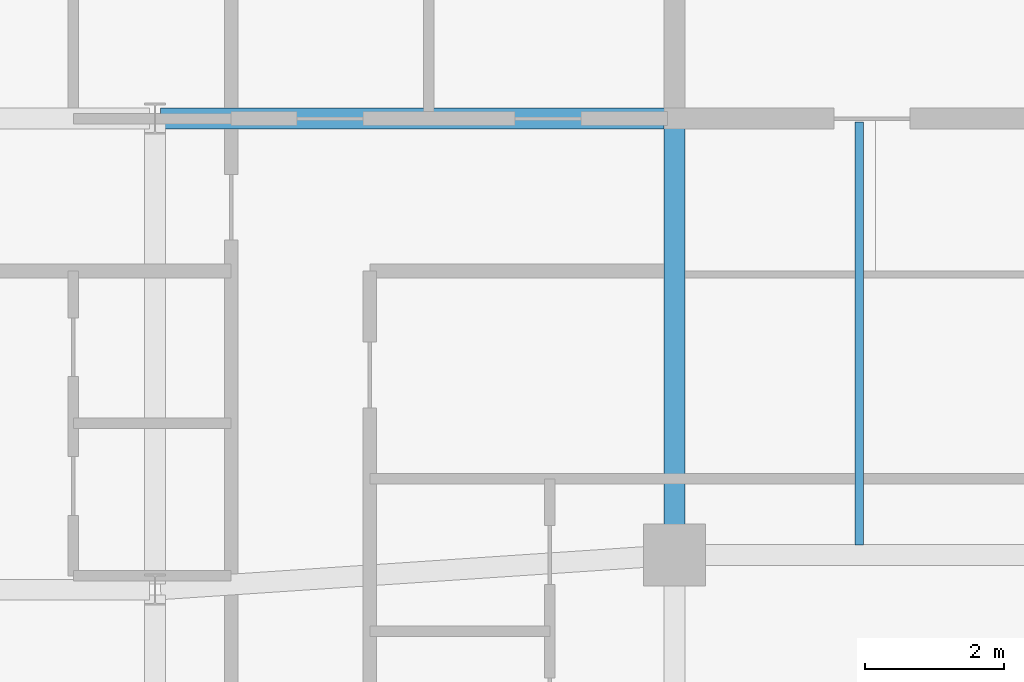
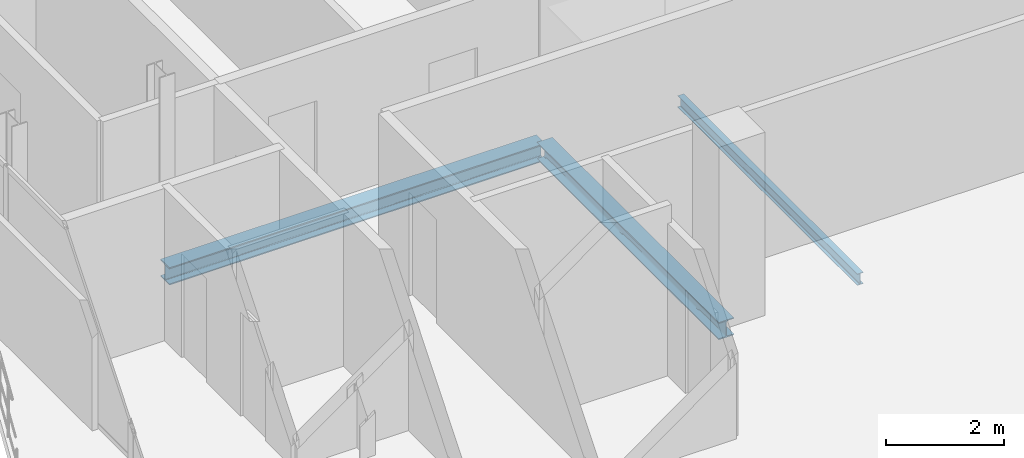
# One storey, part 11 of 23: 3 beams.
"""IFC4 building model written with IfcOpenShell, lengths in metres."""

from ifc_helpers import new_model, si_unit, direction, frame, origin, origin_2d, place, context, subcontext, project, spatial, i_section, extrude, material, material_profile, profile_set, type_object, element, save


model = new_model("IFC4")

# Units and contexts
model_context = context("Model", 3, precision=1e-05, world=origin(), true_north=direction((0.0, 1.0)))
body_context = subcontext(model_context, "Body", "Model", "MODEL_VIEW")
ifc_project = project(units=[si_unit("LENGTHUNIT", "METRE"), si_unit("AREAUNIT", "SQUARE_METRE"), si_unit("VOLUMEUNIT", "CUBIC_METRE"), si_unit("PLANEANGLEUNIT", "RADIAN"), si_unit("MASSUNIT", "GRAM", prefix="KILO")], contexts=[model_context])

# Site, building, storey
site_placement = place(None, origin())
site = spatial("IfcSite", under=ifc_project, at=site_placement, CompositionType="ELEMENT")
building_placement = place(site_placement, origin())
building = spatial("IfcBuilding", under=site, at=building_placement, Name="Catumbela Crestline Tower", CompositionType="ELEMENT")
storey_placement = place(building_placement, frame((0.0, 0.0, 245.0)))
storey = spatial("IfcBuildingStorey", under=building, at=storey_placement, Name="L63", CompositionType="ELEMENT", Elevation=245.0)

# Beams
ifc_material = material(Name="Structural steel S355J2", Category="steel")
ifc_material_profile_1 = material_profile(ifc_material, i_section(OverallWidth=0.3, OverallDepth=0.36, WebThickness=0.0125, FlangeThickness=0.0225, FilletRadius=0.027, at=origin_2d()), Name="HEB 360")
ifc_profile_set_1 = profile_set([ifc_material_profile_1], Name="Structural steel S355J2")
beam_type_1 = type_object("IfcBeamType", Name="BG-HEB360", PredefinedType="BEAM", material=ifc_profile_set_1)
beam_1_placement = place(storey_placement, frame((8.58, 30.8, -0.44), z_axis=(1.0, 0.0, 0.0), x_axis=(0.0, 1.0, 0.0)))
element("IfcBeam", 1, at=beam_1_placement, inside=storey, type_object=beam_type_1, Name="L63 Beam BM-L63-M07", PredefinedType="BEAM", context=body_context, shape_type="SweptSolid", body=[
    extrude(i_section(OverallWidth=0.3, OverallDepth=0.36, WebThickness=0.0125, FlangeThickness=0.0225, FilletRadius=0.027, at=origin_2d()), origin(), (0.0, 0.0, 1.0), 7.37),
])
beam_2_placement = place(storey_placement, frame((16.0, 24.58, -0.44), z_axis=(0.0, 1.0, 0.0), x_axis=(-1.0, 0.0, 0.0)))
element("IfcBeam", 2, at=beam_2_placement, inside=storey, type_object=beam_type_1, Name="L63 Beam BM-L63-SNS15", PredefinedType="BEAM", context=body_context, shape_type="SweptSolid", body=[
    extrude(i_section(OverallWidth=0.3, OverallDepth=0.36, WebThickness=0.0125, FlangeThickness=0.0225, FilletRadius=0.027, at=origin_2d()), origin(), (0.0, 0.0, 1.0), 6.17),
])
ifc_material_profile_2 = material_profile(ifc_material, i_section(OverallWidth=0.12, OverallDepth=0.24, WebThickness=0.0062, FlangeThickness=0.0098, FilletRadius=0.015, at=origin_2d()), Name="IPE 240")
ifc_profile_set_2 = profile_set([ifc_material_profile_2], Name="Structural steel S355J2")
beam_type_2 = type_object("IfcBeamType", Name="BJ-IPE240", PredefinedType="JOIST", material=ifc_profile_set_2)
beam_3_placement = place(storey_placement, frame((18.667, 24.647, -0.38), z_axis=(0.0, 1.0, 0.0), x_axis=(-1.0, 0.0, 0.0)))
element("IfcBeam", 3, at=beam_3_placement, inside=storey, type_object=beam_type_2, Name="L63 Joist JS-L63-SP21", PredefinedType="JOIST", context=body_context, shape_type="SweptSolid", body=[
    extrude(i_section(OverallWidth=0.12, OverallDepth=0.24, WebThickness=0.0062, FlangeThickness=0.0098, FilletRadius=0.015, at=origin_2d()), origin(), (0.0, 0.0, 1.0), 6.103),
])

save(model, "model.ifc")
